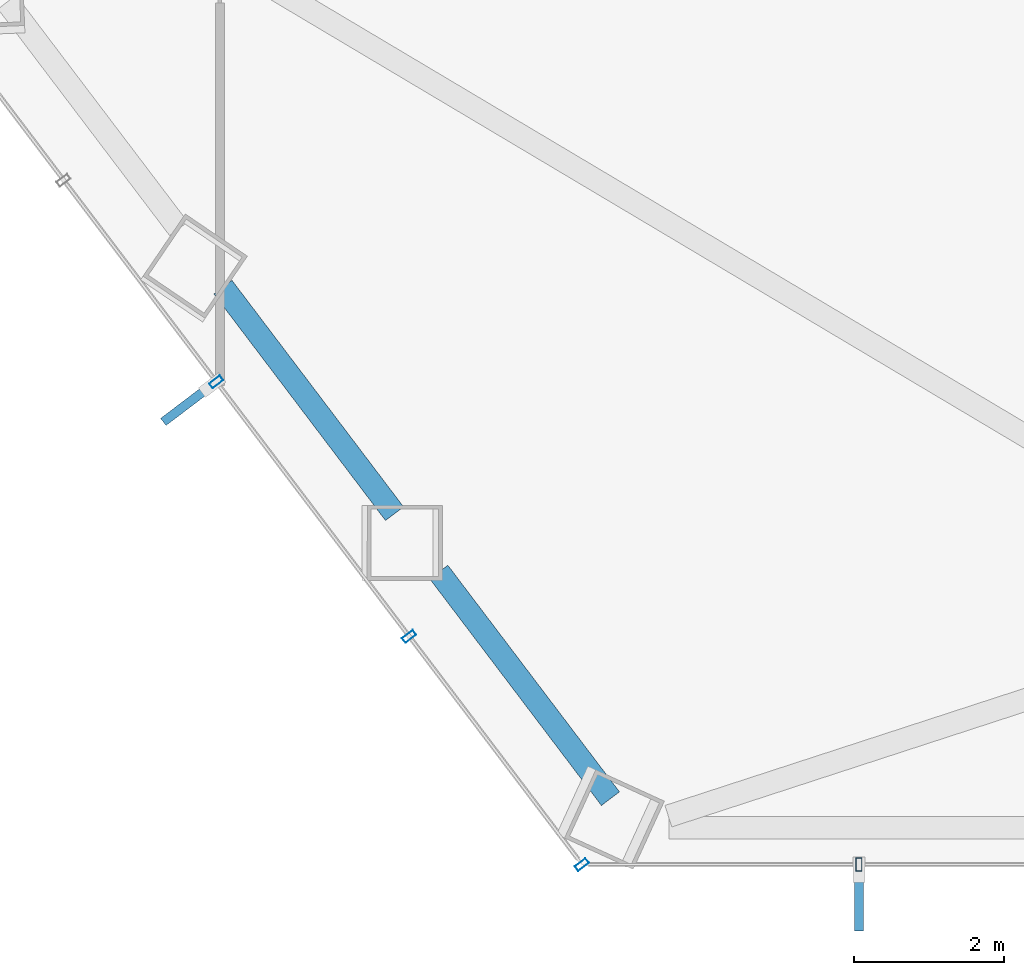
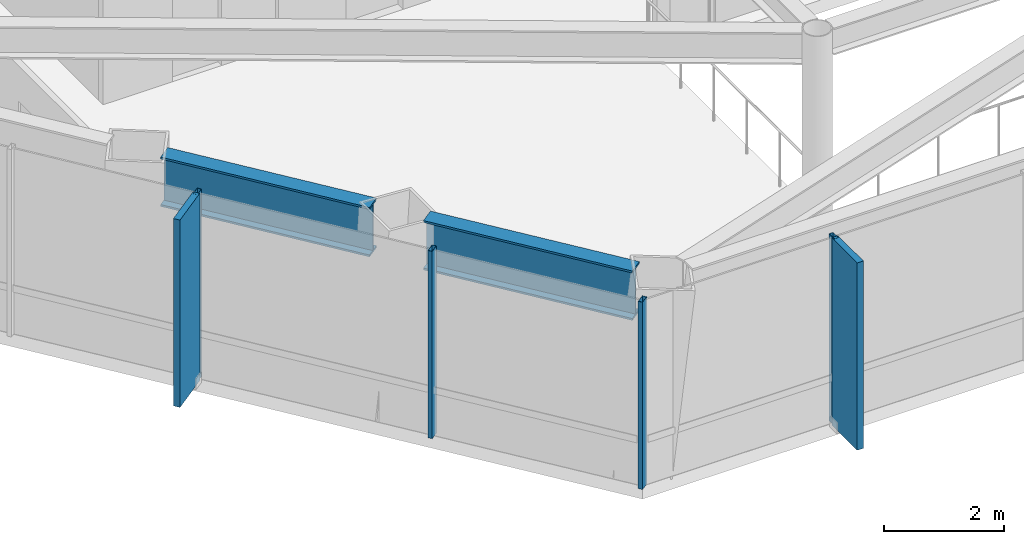
# One storey, part 2 of 27: 6 members, 2 beams, 2 elements without a shape of their own.
"""IFC4 building model written with IfcOpenShell, lengths in metres."""

from ifc_helpers import new_model, si_unit, direction, frame, origin, origin_2d, place, context, subcontext, project, spatial, rectangle, hollow_rectangle, i_section, extrude, material, layer, layer_set, material_profile, profile_set, type_object, element, aggregate, save


model = new_model("IFC4")

# Units and contexts
model_context = context("Model", 3, precision=1e-05, world=origin(), true_north=direction((0.0, 1.0)))
body_context = subcontext(model_context, "Body", "Model", "MODEL_VIEW")
ifc_project = project(units=[si_unit("LENGTHUNIT", "METRE"), si_unit("AREAUNIT", "SQUARE_METRE"), si_unit("VOLUMEUNIT", "CUBIC_METRE"), si_unit("PLANEANGLEUNIT", "RADIAN"), si_unit("MASSUNIT", "GRAM", prefix="KILO")], contexts=[model_context])

# Site, building, storey
site_placement = place(None, origin())
site = spatial("IfcSite", under=ifc_project, at=site_placement, CompositionType="ELEMENT")
building_placement = place(site_placement, origin())
building = spatial("IfcBuilding", under=site, at=building_placement, Name="Zarrinselat Tower", CompositionType="ELEMENT")
storey_placement = place(building_placement, frame((0.0, 0.0, 47.93994140625)))
storey = spatial("IfcBuildingStorey", under=building, at=storey_placement, Name="L11", CompositionType="ELEMENT", Elevation=47.93994140625)

# Beams
ifc_material_1 = material(Name="Steel S460M", Category="steel")
ifc_material_profile_1 = material_profile(ifc_material_1, i_section(OverallWidth=0.302001953125, OverallDepth=1.008056640625, WebThickness=0.02099609375, FlangeThickness=0.0400390625, at=origin_2d()), Name="HEM 1000")
ifc_profile_set_1 = profile_set([ifc_material_profile_1], Name="Steel S460M")
beam_type = type_object("IfcBeamType", Name="BM-HEM1000", PredefinedType="BEAM", material=ifc_profile_set_1)
for number, where, z_axis, x_axis, name in (
    (1, (22.541015625, 26.718017578125, 3.316162109375), (0.603839076561, -0.797106247384, 0.0), (0.797106247384, 0.603839076561, 0.0), "L11 Perimeter Spandrel Girder SP08"),
    (2, (25.418212890625, 22.92041015625, 3.316162109375), (0.603839076561, -0.797106247384, 0.0), (0.797106247384, 0.603839076561, 0.0), "L11 Perimeter Spandrel Girder SP09"),
):
    element("IfcBeam", number, at=place(storey_placement, frame(where, z_axis=z_axis, x_axis=x_axis)), inside=storey, type_object=beam_type, Name=name, PredefinedType="BEAM", context=body_context, shape_type="SweptSolid", body=[
        extrude(i_section(OverallWidth=0.302001953125, OverallDepth=1.008056640625, WebThickness=0.02099609375, FlangeThickness=0.0400390625, at=origin_2d()), origin(), (0.0, 0.0, 1.0), 3.788330078125),
    ])

# Curtain wall, members
ifc_material_2 = material(Name="Extruded Aluminium Alloy EN AW-6063 T6", Category="aluminium")
ifc_layer = layer(ifc_material_2, 0.18505859375)
ifc_layer_set = layer_set([ifc_layer], Name="Extruded Aluminium Alloy EN AW-6063 T6")
curtain_wall_type = type_object("IfcCurtainWallType", Name="CWS-OFF", PredefinedType="NOTDEFINED", material=ifc_layer_set)
curtain_wall_1_placement = place(storey_placement, origin())
curtain_wall_1 = element("IfcCurtainWall", 3, at=curtain_wall_1_placement, inside=storey, type_object=curtain_wall_type, Name="L11 Unitised Curtain Wall CW-L11-E03", PredefinedType="NOTDEFINED")
ifc_material_3 = material(Name="Extruded Aluminium Alloy EN AW-6063 T6", Category="aluminium")
ifc_material_profile_2 = material_profile(ifc_material_3, hollow_rectangle(XDim=0.080078125, YDim=0.179931640625, WallThickness=0.0048828125, at=origin_2d()), Name="RHS 180x80x5")
ifc_profile_set_2 = profile_set([ifc_material_profile_2], Name="Extruded Aluminium Alloy EN AW-6063 T6")
member_type_1 = type_object("IfcMemberType", Name="MEM-CW-MUL", PredefinedType="MULLION", material=ifc_profile_set_2)
member_1_placement = place(storey_placement, frame((22.4521484375, 25.45556640625, 0.0), z_axis=(0.0, 0.0, 1.0), x_axis=(0.603857284091, -0.797092454142, 0.0)))
member_1 = element("IfcMember", 4, at=member_1_placement, type_object=member_type_1, Name="CW-L11-E03 Mullion 3", PredefinedType="MULLION", context=body_context, shape_type="SweptSolid", body=[
    extrude(hollow_rectangle(XDim=0.080078125, YDim=0.179931640625, WallThickness=0.0048828125, at=origin_2d()), origin(), (0.0, 0.0, 1.0), 3.820068359375),
])
member_2_placement = place(storey_placement, frame((25.022705078125, 22.0625, 0.0), z_axis=(0.0, 0.0, 1.0), x_axis=(0.603857284091, -0.797092454142, 0.0)))
member_2 = element("IfcMember", 5, at=member_2_placement, type_object=member_type_1, Name="CW-L11-E03 Mullion 4", PredefinedType="MULLION", context=body_context, shape_type="SweptSolid", body=[
    extrude(hollow_rectangle(XDim=0.080078125, YDim=0.179931640625, WallThickness=0.0048828125, at=origin_2d()), origin(), (0.0, 0.0, 1.0), 3.820068359375),
])
member_3_placement = place(storey_placement, frame((27.325439453125, 19.02294921875, 0.0), z_axis=(0.0, 0.0, 1.0), x_axis=(0.603857284091, -0.797092454142, 0.0)))
member_3 = element("IfcMember", 6, at=member_3_placement, type_object=member_type_1, Name="CW-L11-E03 Mullion 5", PredefinedType="MULLION", context=body_context, shape_type="SweptSolid", body=[
    extrude(hollow_rectangle(XDim=0.080078125, YDim=0.179931640625, WallThickness=0.0048828125, at=origin_2d()), origin(), (0.0, 0.0, 1.0), 3.820068359375),
])

# Curtain wall, member
curtain_wall_2_placement = place(storey_placement, origin())
curtain_wall_2 = element("IfcCurtainWall", 7, at=curtain_wall_2_placement, inside=storey, type_object=curtain_wall_type, Name="L11 Unitised Curtain Wall CW-L11-E04", PredefinedType="NOTDEFINED")
member_4_placement = place(storey_placement, frame((31.016845703125, 19.02294921875, 0.0), z_axis=(0.0, 0.0, 1.0), x_axis=(1.0, 0.0, 0.0)))
member_4 = element("IfcMember", 8, at=member_4_placement, type_object=member_type_1, Name="CW-L11-E04 Mullion 1", PredefinedType="MULLION", context=body_context, shape_type="SweptSolid", body=[
    extrude(hollow_rectangle(XDim=0.080078125, YDim=0.179931640625, WallThickness=0.0048828125, at=origin_2d()), origin(), (0.0, 0.0, 1.0), 3.820068359375),
])

# Member
ifc_material_4 = material(Name="Honed Cream Travertine Stone", Category="masonry")
ifc_material_profile_3 = material_profile(ifc_material_4, rectangle(XDim=0.1201171875, YDim=0.85009765625, at=origin_2d()), Name="FIN 850x120")
ifc_profile_set_3 = profile_set([ifc_material_profile_3], Name="Honed Cream Travertine Stone")
member_type_2 = type_object("IfcMemberType", Name="MEM-STONE-FIN", PredefinedType="USERDEFINED", material=ifc_profile_set_3)
member_5_placement = place(storey_placement, frame((22.08544921875, 25.177734375, 0.0), z_axis=(0.0, 0.0, 1.0), x_axis=(-0.603857284091, 0.797092454142, 0.0)))
member_5 = element("IfcMember", 9, at=member_5_placement, type_object=member_type_2, Name="L11 Stone Shading Fin CW-L11-E03-03", ObjectType="FIN", PredefinedType="USERDEFINED", context=body_context, shape_type="SweptSolid", body=[
    extrude(rectangle(XDim=0.1201171875, YDim=0.85009765625, at=origin_2d()), origin(), (0.0, 0.0, 1.0), 3.820068359375),
])

aggregate(curtain_wall_1, [member_1, member_5, member_2, member_3])

member_6_placement = place(storey_placement, frame((31.016845703125, 18.56298828125, 0.0), z_axis=(0.0, 0.0, 1.0), x_axis=(-1.0, 0.0, 0.0)))
member_6 = element("IfcMember", 10, at=member_6_placement, type_object=member_type_2, Name="L11 Stone Shading Fin CW-L11-E04-01", ObjectType="FIN", PredefinedType="USERDEFINED", context=body_context, shape_type="SweptSolid", body=[
    extrude(rectangle(XDim=0.1201171875, YDim=0.85009765625, at=origin_2d()), origin(), (0.0, 0.0, 1.0), 3.820068359375),
])

aggregate(curtain_wall_2, [member_4, member_6])

save(model, "model.ifc")
